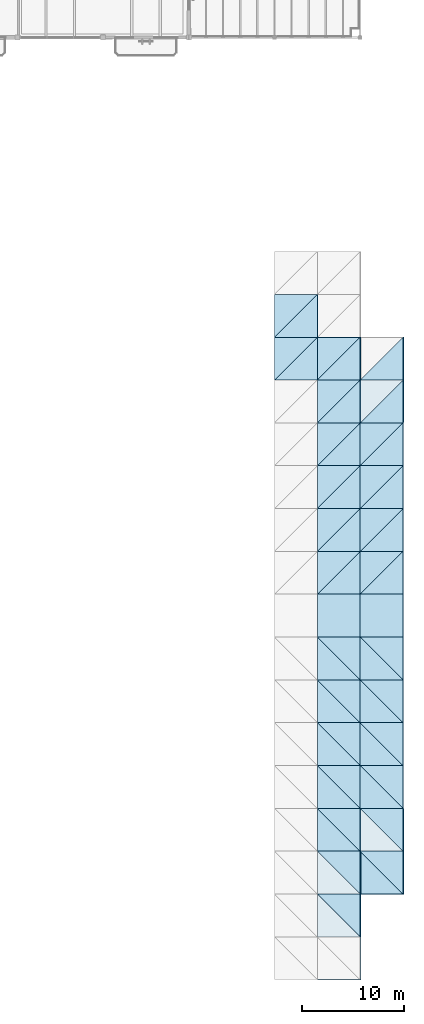
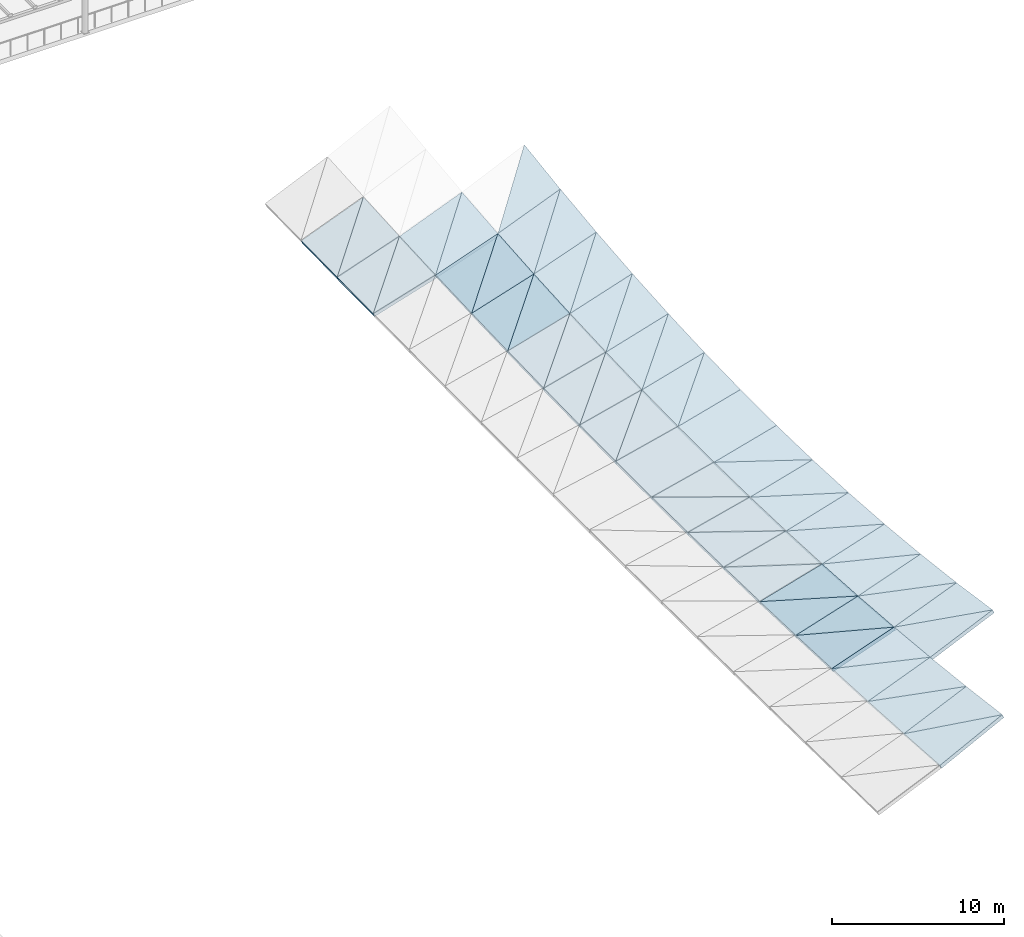
# One storey, part 10 of 24: 57 slabs.
"""IFC4 building model written with IfcOpenShell, lengths in metres."""

from ifc_helpers import new_model, si_unit, direction, frame, origin, place, context, subcontext, project, spatial, polyline, outline, extrude, material, layer, layer_set, type_object, element, save


model = new_model("IFC4")

# Units and contexts
model_context = context("Model", 3, precision=1e-05, world=origin(), true_north=direction((0.0, 1.0)))
body_context = subcontext(model_context, "Body", "Model", "MODEL_VIEW")
ifc_project = project(units=[si_unit("LENGTHUNIT", "METRE"), si_unit("AREAUNIT", "SQUARE_METRE"), si_unit("VOLUMEUNIT", "CUBIC_METRE"), si_unit("PLANEANGLEUNIT", "RADIAN"), si_unit("MASSUNIT", "GRAM", prefix="KILO")], contexts=[model_context])

# Site, building, storey
site_placement = place(None, origin())
site = spatial("IfcSite", under=ifc_project, at=site_placement, CompositionType="ELEMENT")
building_placement = place(site_placement, origin())
building = spatial("IfcBuilding", under=site, at=building_placement, Name="Cumbredor Promenade Congress Hotel", CompositionType="ELEMENT")
storey_placement = place(building_placement, frame((0.0, 0.0, 35.280029296875)))
storey = spatial("IfcBuildingStorey", under=building, at=storey_placement, Name="L10", CompositionType="ELEMENT", Elevation=35.280029296875)

# Slabs
ifc_material = material(Name="Concrete C40/50", Category="concrete")
ifc_layer = layer(ifc_material, 0.25, Name="Concrete C40/50", Category="concrete")
ifc_layer_set = layer_set([ifc_layer], Name="Concrete C40/50")
slab_type = type_object("IfcSlabType", Name="Catenary Space Frame Roof Deck 250mm", PredefinedType="ROOF", material=ifc_layer_set)
slab_1_placement = place(storey_placement, frame((58.800048828125, 58.800048828125, 0.294677734375), z_axis=(-0.293775578441, -0.048722130312, 0.954631899493), x_axis=(0.95576699535, 0.0, 0.29412488946)))
element("IfcSlab", 1, at=slab_1_placement, inside=storey, type_object=slab_type, Name="Plenary Congress Hall Sweeping Roof Deck Facet 16.15.1", PredefinedType="ROOF", context=body_context, shape_type="SweptSolid", body=[
    extrude(outline(polyline([(0.0, 0.0), (4.3943253871594905, -6.938893903907228e-18), (4.457372665710753, 4.204945083325643), (0.0, 0.0)])), origin(), (0.0, 0.0, -1.0), 0.25),
])
slab_2_placement = place(storey_placement, frame((58.800048828125, 58.800048828125, 0.294677734375), z_axis=(-0.327339266425, -0.01164361149, 0.944835134279), x_axis=(0.685394803827, 0.685394803827, 0.245902268745)))
element("IfcSlab", 2, at=slab_2_placement, inside=storey, type_object=slab_type, Name="Plenary Congress Hall Sweeping Roof Deck Facet 16.15.2", PredefinedType="ROOF", context=body_context, shape_type="SweptSolid", body=[
    extrude(outline(polyline([(0.0, 0.0), (6.12778379471811, -4.440892098500626e-16), (2.891352073049212, 3.0466952435324073), (0.0, 0.0)])), origin(), (0.0, 0.0, -1.0), 0.25),
])
slab_3_placement = place(storey_placement, frame((58.800048828125, 63.0, 0.346435546875), z_axis=(-0.326844885667, -0.056155899819, 0.943408149015), x_axis=(0.944899188184, 0.0, 0.327361457977)))
element("IfcSlab", 3, at=slab_3_placement, inside=storey, type_object=slab_type, Name="Plenary Congress Hall Sweeping Roof Deck Facet 16.16.1", PredefinedType="ROOF", context=body_context, shape_type="SweptSolid", body=[
    extrude(outline(polyline([(0.0, 0.0), (4.444866949188435, 0.0), (4.526707313682679, 4.20658911719146), (0.0, 0.0)])), origin(), (0.0, 0.0, -1.0), 0.25),
])
slab_4_placement = place(storey_placement, frame((58.800048828125, 63.0, 0.346435546875), z_axis=(-0.364619815794, -0.013368130399, 0.93106051523), x_axis=(0.679656505654, 0.679656505654, 0.275924026942)))
element("IfcSlab", 4, at=slab_4_placement, inside=storey, type_object=slab_type, Name="Plenary Congress Hall Sweeping Roof Deck Facet 16.16.2", PredefinedType="ROOF", context=body_context, shape_type="SweptSolid", body=[
    extrude(outline(polyline([(0.0, 0.0), (6.179520297290226, 1.6653345369377348e-16), (2.8711631106988817, 3.065884645199361), (0.0, 0.0)])), origin(), (0.0, 0.0, -1.0), 0.25),
])
slab_5_placement = place(storey_placement, frame((63.0, 0.0, 2.337158203125), z_axis=(-0.45453933553, 0.060439938921, 0.888673734415), x_axis=(0.890301351474, 0.0, 0.455371830007)))
element("IfcSlab", 5, at=slab_5_placement, inside=storey, type_object=slab_type, Name="Plenary Congress Hall Sweeping Roof Deck Facet 17.1.1", PredefinedType="ROOF", context=body_context, shape_type="SweptSolid", body=[
    extrude(outline(polyline([(0.0, 0.0), (4.717448945711764, 0.0), (-0.13007447292690355, 4.207643434971648), (0.0, 0.0)])), origin(), (0.0, 0.0, -1.0), 0.25),
])
slab_6_placement = place(storey_placement, frame((67.199951171875, 0.0, 4.4853515625), z_axis=(-0.409046691077, 0.115494917277, 0.905174971263), x_axis=(0.0, 0.991957945242, -0.126567906168)))
element("IfcSlab", 6, at=slab_6_placement, inside=storey, type_object=slab_type, Name="Plenary Congress Hall Sweeping Roof Deck Facet 17.1.2", PredefinedType="ROOF", context=body_context, shape_type="SweptSolid", body=[
    extrude(outline(polyline([(0.0, 0.0), (4.234001241707204, 0.0), (4.474220700337317, 4.602618352066939), (0.0, 0.0)])), origin(), (0.0, 0.0, -1.0), 0.25),
])
slab_7_placement = place(storey_placement, frame((63.0, 4.199951171875, 2.051513671875), z_axis=(-0.411197951808, 0.054163455448, 0.909935472725), x_axis=(0.911273146381, 0.0, 0.411802443758)))
element("IfcSlab", 7, at=slab_7_placement, inside=storey, type_object=slab_type, Name="Plenary Congress Hall Sweeping Roof Deck Facet 17.2.1", PredefinedType="ROOF", context=body_context, shape_type="SweptSolid", body=[
    extrude(outline(polyline([(0.0, 0.0), (4.608882845450503, 0.0), (-0.10295061093945436, 4.2061254163233635), (0.0, 0.0)])), origin(), (0.0, 0.0, -1.0), 0.25),
])
slab_8_placement = place(storey_placement, frame((67.199951171875, 4.199951171875, 3.949462890625), z_axis=(-0.369264178227, 0.103080433585, 0.923589947374), x_axis=(0.0, 0.993829366657, -0.110919745625)))
element("IfcSlab", 8, at=slab_8_placement, inside=storey, type_object=slab_type, Name="Plenary Congress Hall Sweeping Roof Deck Facet 17.2.2", PredefinedType="ROOF", context=body_context, shape_type="SweptSolid", body=[
    extrude(outline(polyline([(0.0, 0.0), (4.22602844389791, -2.7755575615628914e-17), (4.4122847940948935, 4.519359294678406), (0.0, 0.0)])), origin(), (0.0, 0.0, -1.0), 0.25),
])
slab_9_placement = place(storey_placement, frame((63.0, 8.39990234375, 1.801513671875), z_axis=(-0.370825649109, 0.047334398802, 0.927495440772), x_axis=(0.928536237843, 0.0, 0.371241774335)))
element("IfcSlab", 9, at=slab_9_placement, inside=storey, type_object=slab_type, Name="Plenary Congress Hall Sweeping Roof Deck Facet 17.3.1", PredefinedType="ROOF", context=body_context, shape_type="SweptSolid", body=[
    extrude(outline(polyline([(0.0, 0.0), (4.523195757689998, 0.0), (-0.07957770455719006, 4.204908598182298), (0.0, 0.0)])), origin(), (0.0, 0.0, -1.0), 0.25),
])
slab_10_placement = place(storey_placement, frame((67.199951171875, 8.39990234375, 3.480712890625), z_axis=(-0.333335610195, 0.089793538847, 0.938522504449), x_axis=(0.0, 0.995454290733, -0.095240511657)))
element("IfcSlab", 10, at=slab_10_placement, inside=storey, type_object=slab_type, Name="Plenary Congress Hall Sweeping Roof Deck Facet 17.3.2", PredefinedType="ROOF", context=body_context, shape_type="SweptSolid", body=[
    extrude(outline(polyline([(0.0, 0.0), (4.219375366201881, -2.7755575615628914e-17), (4.361445563033975, 4.454724734989318), (0.0, 0.0)])), origin(), (0.0, 0.0, -1.0), 0.25),
])
slab_11_placement = place(storey_placement, frame((63.0, 12.60009765625, 1.587158203125), z_axis=(-0.334419623445, 0.040009941856, 0.941574596093), x_axis=(0.942329136276, 0.0, 0.334687613942)))
element("IfcSlab", 11, at=slab_11_placement, inside=storey, type_object=slab_type, Name="Plenary Congress Hall Sweeping Roof Deck Facet 17.4.1", PredefinedType="ROOF", context=body_context, shape_type="SweptSolid", body=[
    extrude(outline(polyline([(0.0, 0.0), (4.456989612435006, -6.938893903907228e-18), (-0.059730626413959265, 4.203316844587047), (0.0, 0.0)])), origin(), (0.0, 0.0, -1.0), 0.25),
])
slab_12_placement = place(storey_placement, frame((67.199951171875, 12.60009765625, 3.078857421875), z_axis=(-0.302096813544, 0.075786584052, 0.950259916509), x_axis=(0.0, 0.99683477873, -0.079501093787)))
element("IfcSlab", 12, at=slab_12_placement, inside=storey, type_object=slab_type, Name="Plenary Congress Hall Sweeping Roof Deck Facet 17.4.2", PredefinedType="ROOF", context=body_context, shape_type="SweptSolid", body=[
    extrude(outline(polyline([(0.0, 0.0), (4.213287158002059, 1.3877787807814457e-17), (4.31943742214299, 4.40580237507401), (0.0, 0.0)])), origin(), (0.0, 0.0, -1.0), 0.25),
])
slab_13_placement = place(storey_placement, frame((63.0, 16.800048828125, 1.40869140625), z_axis=(-0.302809161441, 0.032390447878, 0.952500640752), x_axis=(0.953000688043, 0.0, 0.302968131309)))
element("IfcSlab", 13, at=slab_13_placement, inside=storey, type_object=slab_type, Name="Plenary Congress Hall Sweeping Roof Deck Facet 17.5.1", PredefinedType="ROOF", context=body_context, shape_type="SweptSolid", body=[
    extrude(outline(polyline([(0.0, 0.0), (4.407080943979243, -6.938893903907228e-18), (-0.04327059492572728, 4.202156077694785), (0.0, 0.0)])), origin(), (0.0, 0.0, -1.0), 0.25),
])
slab_14_placement = place(storey_placement, frame((67.199951171875, 16.800048828125, 2.743896484375), z_axis=(-0.276311214531, 0.061216649224, 0.959116590714), x_axis=(0.0, 0.99796931825, -0.063696466398)))
element("IfcSlab", 14, at=slab_14_placement, inside=storey, type_object=slab_type, Name="Plenary Congress Hall Sweeping Roof Deck Facet 17.5.2", PredefinedType="ROOF", context=body_context, shape_type="SweptSolid", body=[
    extrude(outline(polyline([(0.0, 0.0), (4.208497290517599, 1.3877787807814457e-17), (4.28556752671552, 4.370086440232328), (0.0, 0.0)])), origin(), (0.0, 0.0, -1.0), 0.25),
])
slab_15_placement = place(storey_placement, frame((63.0, 21.0, 1.265869140625), z_axis=(-0.27674721727, 0.024514130021, 0.960630019915), x_axis=(0.96091879181, 0.0, 0.276830409359)))
element("IfcSlab", 15, at=slab_15_placement, inside=storey, type_object=slab_type, Name="Plenary Congress Hall Sweeping Roof Deck Facet 17.6.1", PredefinedType="ROOF", context=body_context, shape_type="SweptSolid", body=[
    extrude(outline(polyline([(0.0, 0.0), (4.37076598737682, 3.469446951953614e-18), (-0.029670056081252456, 4.201213705663172), (0.0, 0.0)])), origin(), (0.0, 0.0, -1.0), 0.25),
])
slab_16_placement = place(storey_placement, frame((67.199951171875, 21.0, 2.475830078125), z_axis=(-0.256577242509, 0.046186148422, 0.965419576309), x_axis=(0.0, 0.998857604206, -0.047785840159)))
element("IfcSlab", 16, at=slab_16_placement, inside=storey, type_object=slab_type, Name="Plenary Congress Hall Sweeping Roof Deck Facet 17.6.2", PredefinedType="ROOF", context=body_context, shape_type="SweptSolid", body=[
    extrude(outline(polyline([(0.0, 0.0), (4.204754665919911, 0.0), (4.258093743363422, 4.345419616785735), (0.0, 0.0)])), origin(), (0.0, 0.0, -1.0), 0.25),
])
slab_17_placement = place(storey_placement, frame((63.0, 25.199951171875, 1.15869140625), z_axis=(-0.256816551653, 0.016458278573, 0.966320021454), x_axis=(0.966450923984, 0.0, 0.256851341304)))
element("IfcSlab", 17, at=slab_17_placement, inside=storey, type_object=slab_type, Name="Plenary Congress Hall Sweeping Roof Deck Facet 17.7.1", PredefinedType="ROOF", context=body_context, shape_type="SweptSolid", body=[
    extrude(outline(polyline([(0.0, 0.0), (4.345746967223105, 6.938893903907228e-18), (-0.018373399170443463, 4.200520118209939), (0.0, 0.0)])), origin(), (0.0, 0.0, -1.0), 0.25),
])
slab_18_placement = place(storey_placement, frame((67.199951171875, 25.199951171875, 2.27490234375), z_axis=(-0.243228293779, 0.030938909473, 0.969475518508), x_axis=(0.0, 0.999491167619, -0.031896800036)))
element("IfcSlab", 18, at=slab_18_placement, inside=storey, type_object=slab_type, Name="Plenary Congress Hall Sweeping Roof Deck Facet 17.7.2", PredefinedType="ROOF", context=body_context, shape_type="SweptSolid", body=[
    extrude(outline(polyline([(0.0, 0.0), (4.202089330996443, -6.938893903907228e-18), (4.235699338065826, 4.329984636620101), (0.0, 0.0)])), origin(), (0.0, 0.0, -1.0), 0.25),
])
slab_19_placement = place(storey_placement, frame((63.0, 29.39990234375, 1.087158203125), z_axis=(-0.243336545039, 0.008231017267, 0.969906993584), x_axis=(0.969939850681, 0.0, 0.24334478844)))
element("IfcSlab", 19, at=slab_19_placement, inside=storey, type_object=slab_type, Name="Plenary Congress Hall Sweeping Roof Deck Facet 17.8.1", PredefinedType="ROOF", context=body_context, shape_type="SweptSolid", body=[
    extrude(outline(polyline([(0.0, 0.0), (4.330115077678804, 1.734723475976807e-18), (-0.008673910916085721, 4.2003376006012205), (0.0, 0.0)])), origin(), (0.0, 0.0, -1.0), 0.25),
])
slab_20_placement = place(storey_placement, frame((67.199951171875, 29.39990234375, 2.140869140625), z_axis=(-0.236509174984, 0.015472719001, 0.971506049963), x_axis=(0.0, 0.999873196964, -0.015924509182)))
element("IfcSlab", 20, at=slab_20_placement, inside=storey, type_object=slab_type, Name="Plenary Congress Hall Sweeping Roof Deck Facet 17.8.2", PredefinedType="ROOF", context=body_context, shape_type="SweptSolid", body=[
    extrude(outline(polyline([(0.0, 0.0), (4.200727977560334, -3.469446951953614e-18), (4.217010166147851, 4.322586159370611), (0.0, 0.0)])), origin(), (0.0, 0.0, -1.0), 0.25),
])
slab_21_placement = place(storey_placement, frame((63.0, 33.60009765625, 1.051513671875), z_axis=(-0.236537490812, 0.0, 0.971622362567), x_axis=(0.971622362567, 0.0, 0.236537490812)))
element("IfcSlab", 21, at=slab_21_placement, inside=storey, type_object=slab_type, Name="Plenary Congress Hall Sweeping Roof Deck Facet 17.9", PredefinedType="ROOF", context=body_context, shape_type="SweptSolid", body=[
    extrude(outline(polyline([(0.0, 0.0), (4.322616824892945, 0.0), (4.322616824892945, 4.199951171875), (0.0, 4.199951171875), (0.0, 0.0)])), origin(), (0.0, 0.0, -1.0), 0.25),
])
slab_22_placement = place(storey_placement, frame((63.0, 37.800048828125, 1.051513671875), z_axis=(-0.236509171692, -0.015473618205, 0.971506036443), x_axis=(0.971622362567, 0.0, 0.236537490812)))
element("IfcSlab", 22, at=slab_22_placement, inside=storey, type_object=slab_type, Name="Plenary Congress Hall Sweeping Roof Deck Facet 17.10.1", PredefinedType="ROOF", context=body_context, shape_type="SweptSolid", body=[
    extrude(outline(polyline([(0.0, 0.0), (4.322616824892945, 0.0), (4.338439889463835, 4.200454065344952), (0.0, 0.0)])), origin(), (0.0, 0.0, -1.0), 0.25),
])
slab_23_placement = place(storey_placement, frame((63.0, 37.800048828125, 1.051513671875), z_axis=(-0.243336544081, -0.008231495699, 0.969906989764), x_axis=(0.69550606535, 0.69550606535, 0.180395748625)))
element("IfcSlab", 23, at=slab_23_placement, inside=storey, type_object=slab_type, Name="Plenary Congress Hall Sweeping Roof Deck Facet 17.10.2", PredefinedType="ROOF", context=body_context, shape_type="SweptSolid", body=[
    extrude(outline(polyline([(0.0, 0.0), (6.038698123731962, -8.326672684688674e-17), (2.9275216361133496, 3.011723335373028), (0.0, 0.0)])), origin(), (0.0, 0.0, -1.0), 0.25),
])
slab_24_placement = place(storey_placement, frame((63.0, 42.0, 1.087158203125), z_axis=(-0.243228293779, -0.030938909473, 0.969475518508), x_axis=(0.969939850681, 0.0, 0.24334478844)))
element("IfcSlab", 24, at=slab_24_placement, inside=storey, type_object=slab_type, Name="Plenary Congress Hall Sweeping Roof Deck Facet 17.11.1", PredefinedType="ROOF", context=body_context, shape_type="SweptSolid", body=[
    extrude(outline(polyline([(0.0, 0.0), (4.330115077678804, -6.938893903907228e-18), (4.362731359137236, 4.201962746605204), (0.0, 0.0)])), origin(), (0.0, 0.0, -1.0), 0.25),
])
slab_25_placement = place(storey_placement, frame((63.0, 42.0, 1.087158203125), z_axis=(-0.256816551653, -0.016458278573, 0.966320021454), x_axis=(0.693379318259, 0.693379318259, 0.196087332636)))
element("IfcSlab", 25, at=slab_25_placement, inside=storey, type_object=slab_type, Name="Plenary Congress Hall Sweeping Roof Deck Facet 17.11.2", PredefinedType="ROOF", context=body_context, shape_type="SweptSolid", body=[
    extrude(outline(polyline([(0.0, 0.0), (6.057220140943978, -4.163336342344337e-16), (2.9261860352732345, 3.013659259480975), (0.0, 0.0)])), origin(), (0.0, 0.0, -1.0), 0.25),
])
slab_26_placement = place(storey_placement, frame((63.0, 46.199951171875, 1.15869140625), z_axis=(-0.256577242509, -0.046186148422, 0.965419576309), x_axis=(0.966450923984, 0.0, 0.256851341304)))
element("IfcSlab", 26, at=slab_26_placement, inside=storey, type_object=slab_type, Name="Plenary Congress Hall Sweeping Roof Deck Facet 17.12.1", PredefinedType="ROOF", context=body_context, shape_type="SweptSolid", body=[
    extrude(outline(polyline([(0.0, 0.0), (4.345746967223105, -6.938893903907228e-18), (4.397355525302542, 4.204437935956269), (0.0, 0.0)])), origin(), (0.0, 0.0, -1.0), 0.25),
])
slab_27_placement = place(storey_placement, frame((63.0, 46.199951171875, 1.15869140625), z_axis=(-0.27674721727, -0.024514130021, 0.960630019915), x_axis=(0.690336810607, 0.690336810607, 0.216495209744)))
element("IfcSlab", 27, at=slab_27_placement, inside=storey, type_object=slab_type, Name="Plenary Congress Hall Sweeping Roof Deck Facet 17.12.2", PredefinedType="ROOF", context=body_context, shape_type="SweptSolid", body=[
    extrude(outline(polyline([(0.0, 0.0), (6.0839160064235775, -1.3877787807814457e-16), (2.9225843627804853, 3.018207672661199), (0.0, 0.0)])), origin(), (0.0, 0.0, -1.0), 0.25),
])
slab_28_placement = place(storey_placement, frame((63.0, 50.39990234375, 1.265869140625), z_axis=(-0.276311274717, -0.061213104278, 0.959116799628), x_axis=(0.96091879181, 0.0, 0.276830409359)))
element("IfcSlab", 28, at=slab_28_placement, inside=storey, type_object=slab_type, Name="Plenary Congress Hall Sweeping Roof Deck Facet 17.13.1", PredefinedType="ROOF", context=body_context, shape_type="SweptSolid", body=[
    extrude(outline(polyline([(0.0, 0.0), (4.370765987376819, -2.7755575615628914e-17), (4.444974920354531, 4.208086654950569), (0.0, 0.0)])), origin(), (0.0, 0.0, -1.0), 0.25),
])
slab_29_placement = place(storey_placement, frame((63.0, 50.39990234375, 1.265869140625), z_axis=(-0.302809179907, -0.032388567125, 0.952500698836), x_axis=(0.686162158365, 0.686202044557, 0.241471005449)))
element("IfcSlab", 29, at=slab_29_placement, inside=storey, type_object=slab_type, Name="Plenary Congress Hall Sweeping Roof Deck Facet 17.13.2", PredefinedType="ROOF", context=body_context, shape_type="SweptSolid", body=[
    extrude(outline(polyline([(0.0, 0.0), (6.1209309208774645, 1.6653345369377348e-16), (2.9166700470584264, 3.0257353980970367), (0.0, 0.0)])), origin(), (0.0, 0.0, -1.0), 0.25),
])
slab_30_placement = place(storey_placement, frame((63.0, 54.60009765625, 1.40869140625), z_axis=(-0.302096813544, -0.075786584052, 0.950259916509), x_axis=(0.953000688043, 0.0, 0.302968131309)))
element("IfcSlab", 30, at=slab_30_placement, inside=storey, type_object=slab_type, Name="Plenary Congress Hall Sweeping Roof Deck Facet 17.14.1", PredefinedType="ROOF", context=body_context, shape_type="SweptSolid", body=[
    extrude(outline(polyline([(0.0, 0.0), (4.407080943979243, -1.3877787807814457e-17), (4.508563433275137, 4.21206481195997), (0.0, 0.0)])), origin(), (0.0, 0.0, -1.0), 0.25),
])
slab_31_placement = place(storey_placement, frame((63.0, 54.60009765625, 1.40869140625), z_axis=(-0.334419623445, -0.040009941856, 0.941574596093), x_axis=(0.680707590515, 0.680707590515, 0.270692357537)))
element("IfcSlab", 31, at=slab_31_placement, inside=storey, type_object=slab_type, Name="Plenary Congress Hall Sweeping Roof Deck Facet 17.14.2", PredefinedType="ROOF", context=body_context, shape_type="SweptSolid", body=[
    extrude(outline(polyline([(0.0, 0.0), (6.169978461227969, 1.6653345369377348e-16), (2.9072482404780144, 3.0363379113594227), (0.0, 0.0)])), origin(), (0.0, 0.0, -1.0), 0.25),
])
slab_32_placement = place(storey_placement, frame((63.0, 58.800048828125, 1.587158203125), z_axis=(-0.333335453959, -0.089798716402, 0.93852206456), x_axis=(0.942329136276, 0.0, 0.334687613942)))
element("IfcSlab", 32, at=slab_32_placement, inside=storey, type_object=slab_type, Name="Plenary Congress Hall Sweeping Roof Deck Facet 17.15.1", PredefinedType="ROOF", context=body_context, shape_type="SweptSolid", body=[
    extrude(outline(polyline([(0.0, 0.0), (4.456989612435006, 0.0), (4.5914856604204735, 4.216988081199039), (0.0, 0.0)])), origin(), (0.0, 0.0, -1.0), 0.25),
])
slab_33_placement = place(storey_placement, frame((63.0, 58.800048828125, 1.587158203125), z_axis=(-0.370825600811, -0.047337144157, 0.92749531997), x_axis=(0.673699801251, 0.673699801251, 0.303738630385)))
element("IfcSlab", 33, at=slab_33_placement, inside=storey, type_object=slab_type, Name="Plenary Congress Hall Sweeping Roof Deck Facet 17.15.2", PredefinedType="ROOF", context=body_context, shape_type="SweptSolid", body=[
    extrude(outline(polyline([(0.0, 0.0), (6.234158246854309, 4.996003610813204e-16), (2.8946143062509795, 3.05069600766192), (0.0, 0.0)])), origin(), (0.0, 0.0, -1.0), 0.25),
])
slab_34_placement = place(storey_placement, frame((67.199951171875, 8.39990234375, 3.480712890625), z_axis=(-0.411167219071, 0.086817434765, 0.90741625012), x_axis=(0.910855423121, 0.0, 0.412725572471)))
element("IfcSlab", 34, at=slab_34_placement, inside=storey, type_object=slab_type, Name="Plenary Congress Hall Sweeping Roof Deck Facet 18.3.1", PredefinedType="ROOF", context=body_context, shape_type="SweptSolid", body=[
    extrude(outline(polyline([(0.0, 0.0), (4.6109965042377326, 0.0), (-0.16585602839059416, 4.216114355512402), (0.0, 0.0)])), origin(), (0.0, 0.0, -1.0), 0.25),
])
slab_35_placement = place(storey_placement, frame((71.39990234375, 8.39990234375, 5.3837890625), z_axis=(-0.369938567617, 0.134544441509, 0.91926233984), x_axis=(0.0, 0.989458250252, -0.144818407006)))
element("IfcSlab", 35, at=slab_35_placement, inside=storey, type_object=slab_type, Name="Plenary Congress Hall Sweeping Roof Deck Facet 18.3.2", PredefinedType="ROOF", context=body_context, shape_type="SweptSolid", body=[
    extrude(outline(polyline([(0.0, 0.0), (4.244944454633989, 2.7755575615628914e-17), (4.4897144330773715, 4.520664186450057), (0.0, 0.0)])), origin(), (0.0, 0.0, -1.0), 0.25),
])
slab_36_placement = place(storey_placement, frame((67.199951171875, 12.60009765625, 3.078857421875), z_axis=(-0.372315421461, 0.073785462696, 0.925168596763), x_axis=(0.927697372163, 0.0, 0.373333076061)))
element("IfcSlab", 36, at=slab_36_placement, inside=storey, type_object=slab_type, Name="Plenary Congress Hall Sweeping Roof Deck Facet 18.4.1", PredefinedType="ROOF", context=body_context, shape_type="SweptSolid", body=[
    extrude(outline(polyline([(0.0, 0.0), (4.527285834691613, 1.3877787807814457e-17), (-0.1250519971573133, 4.211430953226235), (0.0, 0.0)])), origin(), (0.0, 0.0, -1.0), 0.25),
])
slab_37_placement = place(storey_placement, frame((71.39990234375, 12.60009765625, 4.76904296875), z_axis=(-0.336750452483, 0.113934446411, 0.934675384651), x_axis=(0.0, 0.992652302549, -0.121001678687)))
element("IfcSlab", 37, at=slab_37_placement, inside=storey, type_object=slab_type, Name="Plenary Congress Hall Sweeping Roof Deck Facet 18.4.2", PredefinedType="ROOF", context=body_context, shape_type="SweptSolid", body=[
    extrude(outline(polyline([(0.0, 0.0), (4.231039570544253, -2.7755575615628914e-17), (4.414137325548923, 4.46046966659797), (0.0, 0.0)])), origin(), (0.0, 0.0, -1.0), 0.25),
])
slab_38_placement = place(storey_placement, frame((67.199951171875, 16.800048828125, 2.743896484375), z_axis=(-0.338348207156, 0.059939711432, 0.939110069006), x_axis=(0.940801631192, 0.0, 0.338957653324)))
element("IfcSlab", 38, at=slab_38_placement, inside=storey, type_object=slab_type, Name="Plenary Congress Hall Sweeping Roof Deck Facet 18.5.1", PredefinedType="ROOF", context=body_context, shape_type="SweptSolid", body=[
    extrude(outline(polyline([(0.0, 0.0), (4.464226073411645, 0.0), (-0.09086315999741243, 4.207516289980262), (0.0, 0.0)])), origin(), (0.0, 0.0, -1.0), 0.25),
])
slab_39_placement = place(storey_placement, frame((71.39990234375, 16.800048828125, 4.257080078125), z_axis=(-0.309059167756, 0.092382115482, 0.946545284477), x_axis=(0.0, 0.99527095125, -0.097137704304)))
element("IfcSlab", 39, at=slab_39_placement, inside=storey, type_object=slab_type, Name="Plenary Congress Hall Sweeping Roof Deck Facet 18.5.2", PredefinedType="ROOF", context=body_context, shape_type="SweptSolid", body=[
    extrude(outline(polyline([(0.0, 0.0), (4.21990731930767, -2.7755575615628914e-17), (4.35311593382866, 4.416153634263125), (0.0, 0.0)])), origin(), (0.0, 0.0, -1.0), 0.25),
])
slab_40_placement = place(storey_placement, frame((67.199951171875, 21.0, 2.475830078125), z_axis=(-0.310066019111, 0.045430716348, 0.949628934798), x_axis=(0.950610447719, 0.0, 0.31038649566)))
element("IfcSlab", 40, at=slab_40_placement, inside=storey, type_object=slab_type, Name="Plenary Congress Hall Sweeping Roof Deck Facet 18.6.1", PredefinedType="ROOF", context=body_context, shape_type="SweptSolid", body=[
    extrude(outline(polyline([(0.0, 0.0), (4.418162226129549, 0.0), (-0.06236525535352614, 4.204292137268764), (0.0, 0.0)])), origin(), (0.0, 0.0, -1.0), 0.25),
])
slab_41_placement = place(storey_placement, frame((71.39990234375, 21.0, 3.84716796875), z_axis=(-0.287720702689, 0.069848059433, 0.955163884283), x_axis=(0.0, 0.997336912956, -0.072932037232)))
element("IfcSlab", 41, at=slab_41_placement, inside=storey, type_object=slab_type, Name="Plenary Congress Hall Sweeping Roof Deck Facet 18.6.2", PredefinedType="ROOF", context=body_context, shape_type="SweptSolid", body=[
    extrude(outline(polyline([(0.0, 0.0), (4.21116587315063, 0.0), (4.303434871425851, 4.38539019874184), (0.0, 0.0)])), origin(), (0.0, 0.0, -1.0), 0.25),
])
slab_42_placement = place(storey_placement, frame((67.199951171875, 25.199951171875, 2.27490234375), z_axis=(-0.28829058045, 0.030542556671, 0.957055742084), x_axis=(0.957502448296, 0.0, 0.288425140212)))
element("IfcSlab", 42, at=slab_42_placement, inside=storey, type_object=slab_type, Name="Plenary Congress Hall Sweeping Roof Deck Facet 18.7.1", PredefinedType="ROOF", context=body_context, shape_type="SweptSolid", body=[
    extrude(outline(polyline([(0.0, 0.0), (4.386360765288658, 0.0), (-0.03865854540442836, 4.201911501036326), (0.0, 0.0)])), origin(), (0.0, 0.0, -1.0), 0.25),
])
slab_43_placement = place(storey_placement, frame((71.39990234375, 25.199951171875, 3.5400390625), z_axis=(-0.273224130767, 0.046859167153, 0.960808405885), x_axis=(0.0, 0.998812833477, -0.048712664494)))
element("IfcSlab", 43, at=slab_43_placement, inside=storey, type_object=slab_type, Name="Plenary Congress Hall Sweeping Roof Deck Facet 18.7.2", PredefinedType="ROOF", context=body_context, shape_type="SweptSolid", body=[
    extrude(outline(polyline([(0.0, 0.0), (4.20494313960238, 0.0), (4.263122425418719, 4.366078715327987), (0.0, 0.0)])), origin(), (0.0, 0.0, -1.0), 0.25),
])
slab_44_placement = place(storey_placement, frame((67.199951171875, 29.39990234375, 2.140869140625), z_axis=(-0.27349250661, 0.015317373472, 0.961752165008), x_axis=(0.96186500894, 0.0, 0.273524595927)))
element("IfcSlab", 44, at=slab_44_placement, inside=storey, type_object=slab_type, Name="Plenary Congress Hall Sweeping Roof Deck Facet 18.8.1", PredefinedType="ROOF", context=body_context, shape_type="SweptSolid", body=[
    extrude(outline(polyline([(0.0, 0.0), (4.366466326188511, 0.0), (-0.018297299629888995, 4.200688128186188), (0.0, 0.0)])), origin(), (0.0, 0.0, -1.0), 0.25),
])
slab_45_placement = place(storey_placement, frame((71.39990234375, 29.39990234375, 3.335205078125), z_axis=(-0.2658733392, 0.023527246464, 0.963720828963), x_axis=(0.0, 0.999702137628, -0.024405655534)))
element("IfcSlab", 45, at=slab_45_placement, inside=storey, type_object=slab_type, Name="Plenary Congress Hall Sweeping Roof Deck Facet 18.8.2", PredefinedType="ROOF", context=body_context, shape_type="SweptSolid", body=[
    extrude(outline(polyline([(0.0, 0.0), (4.2014467653994325, 0.0), (4.229725388730362, 4.356759798349492), (0.0, 0.0)])), origin(), (0.0, 0.0, -1.0), 0.25),
])
slab_46_placement = place(storey_placement, frame((67.199951171875, 33.60009765625, 2.073974609375), z_axis=(-0.265946954374, 0.0, 0.963987664578), x_axis=(0.963987664578, 0.0, 0.265946954374)))
element("IfcSlab", 46, at=slab_46_placement, inside=storey, type_object=slab_type, Name="Plenary Congress Hall Sweeping Roof Deck Facet 18.9", PredefinedType="ROOF", context=body_context, shape_type="SweptSolid", body=[
    extrude(outline(polyline([(0.0, 0.0), (4.356851572070339, 0.0), (4.356851572070339, 4.199951171875), (0.0, 4.199951171875), (0.0, 0.0)])), origin(), (0.0, 0.0, -1.0), 0.25),
])
slab_47_placement = place(storey_placement, frame((67.199951171875, 37.800048828125, 2.073974609375), z_axis=(-0.265873330645, -0.023528613331, 0.963720797953), x_axis=(0.963987664578, 0.0, 0.265946954374)))
element("IfcSlab", 47, at=slab_47_placement, inside=storey, type_object=slab_type, Name="Plenary Congress Hall Sweeping Roof Deck Facet 18.10.1", PredefinedType="ROOF", context=body_context, shape_type="SweptSolid", body=[
    extrude(outline(polyline([(0.0, 0.0), (4.356851572070339, -3.469446951953614e-18), (4.38412152344654, 4.201114192119098), (0.0, 0.0)])), origin(), (0.0, 0.0, -1.0), 0.25),
])
slab_48_placement = place(storey_placement, frame((67.199951171875, 37.800048828125, 2.073974609375), z_axis=(-0.27349250288, -0.015318263653, 0.961752151891), x_axis=(0.691685015947, 0.691685015947, 0.207710561668)))
element("IfcSlab", 48, at=slab_48_placement, inside=storey, type_object=slab_type, Name="Plenary Congress Hall Sweeping Roof Deck Facet 18.10.2", PredefinedType="ROOF", context=body_context, shape_type="SweptSolid", body=[
    extrude(outline(polyline([(0.0, 0.0), (6.072057475647915, 1.1102230246251565e-16), (2.9189379939537243, 3.0205737388613367), (0.0, 0.0)])), origin(), (0.0, 0.0, -1.0), 0.25),
])
slab_49_placement = place(storey_placement, frame((67.199951171875, 42.0, 2.140869140625), z_axis=(-0.273224130767, -0.046859167153, 0.960808405885), x_axis=(0.96186500894, 0.0, 0.273524595927)))
element("IfcSlab", 49, at=slab_49_placement, inside=storey, type_object=slab_type, Name="Plenary Congress Hall Sweeping Roof Deck Facet 18.11.1", PredefinedType="ROOF", context=body_context, shape_type="SweptSolid", body=[
    extrude(outline(polyline([(0.0, 0.0), (4.366466326188511, -6.938893903907228e-18), (4.42249345899682, 4.2045698671419895), (0.0, 0.0)])), origin(), (0.0, 0.0, -1.0), 0.25),
])
slab_50_placement = place(storey_placement, frame((67.199951171875, 42.0, 2.140869140625), z_axis=(-0.28829058045, -0.030542556671, 0.957055742084), x_axis=(0.688268252981, 0.688268252981, 0.229289388934)))
element("IfcSlab", 50, at=slab_50_placement, inside=storey, type_object=slab_type, Name="Plenary Congress Hall Sweeping Roof Deck Facet 18.11.2", PredefinedType="ROOF", context=body_context, shape_type="SweptSolid", body=[
    extrude(outline(polyline([(0.0, 0.0), (6.102200927743044, 8.326672684688674e-17), (2.9214254469121155, 3.0204019771892088), (0.0, 0.0)])), origin(), (0.0, 0.0, -1.0), 0.25),
])
slab_51_placement = place(storey_placement, frame((67.199951171875, 46.199951171875, 2.27490234375), z_axis=(-0.287720702689, -0.069848059433, 0.955163884283), x_axis=(0.957502448296, 0.0, 0.288425140212)))
element("IfcSlab", 51, at=slab_51_placement, inside=storey, type_object=slab_type, Name="Plenary Congress Hall Sweeping Roof Deck Facet 18.12.1", PredefinedType="ROOF", context=body_context, shape_type="SweptSolid", body=[
    extrude(outline(polyline([(0.0, 0.0), (4.386360765288658, 1.3877787807814457e-17), (4.4749444631370565, 4.210234071837814), (0.0, 0.0)])), origin(), (0.0, 0.0, -1.0), 0.25),
])
slab_52_placement = place(storey_placement, frame((67.199951171875, 46.199951171875, 2.27490234375), z_axis=(-0.310066019111, -0.045430716348, 0.949628934798), x_axis=(0.683563503785, 0.683563503785, 0.255894260558)))
element("IfcSlab", 52, at=slab_52_placement, inside=storey, type_object=slab_type, Name="Plenary Congress Hall Sweeping Roof Deck Facet 18.12.2", PredefinedType="ROOF", context=body_context, shape_type="SweptSolid", body=[
    extrude(outline(polyline([(0.0, 0.0), (6.1442004270551775, 4.440892098500626e-16), (2.9223495927861416, 3.02321594632569), (0.0, 0.0)])), origin(), (0.0, 0.0, -1.0), 0.25),
])
slab_53_placement = place(storey_placement, frame((67.199951171875, 50.39990234375, 2.475830078125), z_axis=(-0.309059321068, -0.092376791502, 0.94654575402), x_axis=(0.950610447719, 0.0, 0.31038649566)))
element("IfcSlab", 53, at=slab_53_placement, inside=storey, type_object=slab_type, Name="Plenary Congress Hall Sweeping Roof Deck Facet 18.13.1", PredefinedType="ROOF", context=body_context, shape_type="SweptSolid", body=[
    extrude(outline(polyline([(0.0, 0.0), (4.4181622261295495, 1.3877787807814457e-17), (4.545393409286985, 4.2182319550484175), (0.0, 0.0)])), origin(), (0.0, 0.0, -1.0), 0.25),
])
slab_54_placement = place(storey_placement, frame((67.199951171875, 50.39990234375, 2.475830078125), z_axis=(-0.338348277812, -0.059936239892, 0.939110265118), x_axis=(0.677287432289, 0.677326802598, 0.287245777247)))
element("IfcSlab", 54, at=slab_54_placement, inside=storey, type_object=slab_type, Name="Plenary Congress Hall Sweeping Roof Deck Facet 18.13.2", PredefinedType="ROOF", context=body_context, shape_type="SweptSolid", body=[
    extrude(outline(polyline([(0.0, 0.0), (6.201135546960828, -1.1102230246251565e-16), (2.9219058045199415, 3.029185819790432), (0.0, 0.0)])), origin(), (0.0, 0.0, -1.0), 0.25),
])
slab_55_placement = place(storey_placement, frame((67.199951171875, 54.60009765625, 2.743896484375), z_axis=(-0.336750452483, -0.113934446411, 0.934675384651), x_axis=(0.940801631192, 0.0, 0.338957653324)))
element("IfcSlab", 55, at=slab_55_placement, inside=storey, type_object=slab_type, Name="Plenary Congress Hall Sweeping Roof Deck Facet 18.14.1", PredefinedType="ROOF", context=body_context, shape_type="SweptSolid", body=[
    extrude(outline(polyline([(0.0, 0.0), (4.464226073411645, -5.551115123125783e-17), (4.637759813406703, 4.227479377666391), (0.0, 0.0)])), origin(), (0.0, 0.0, -1.0), 0.25),
])
slab_56_placement = place(storey_placement, frame((67.199951171875, 54.60009765625, 2.743896484375), z_axis=(-0.372315421461, -0.073785462696, 0.925168596763), x_axis=(0.66927436547, 0.66927436547, 0.322712948996)))
element("IfcSlab", 56, at=slab_56_placement, inside=storey, type_object=slab_type, Name="Plenary Congress Hall Sweeping Roof Deck Facet 18.14.2", PredefinedType="ROOF", context=body_context, shape_type="SweptSolid", body=[
    extrude(outline(polyline([(0.0, 0.0), (6.275380305244042, -1.1102230246251565e-16), (2.9190158875005277, 3.0382782828938786), (0.0, 0.0)])), origin(), (0.0, 0.0, -1.0), 0.25),
])
slab_57_placement = place(storey_placement, frame((67.199951171875, 58.800048828125, 3.078857421875), z_axis=(-0.369938178331, -0.134552120907, 0.919261372501), x_axis=(0.927697372163, 0.0, 0.373333076061)))
element("IfcSlab", 57, at=slab_57_placement, inside=storey, type_object=slab_type, Name="Plenary Congress Hall Sweeping Roof Deck Facet 18.15.1", PredefinedType="ROOF", context=body_context, shape_type="SweptSolid", body=[
    extrude(outline(polyline([(0.0, 0.0), (4.527285834691613, 0.0), (4.7567908848680815, 4.238493840724388), (0.0, 0.0)])), origin(), (0.0, 0.0, -1.0), 0.25),
])

save(model, "model.ifc")
